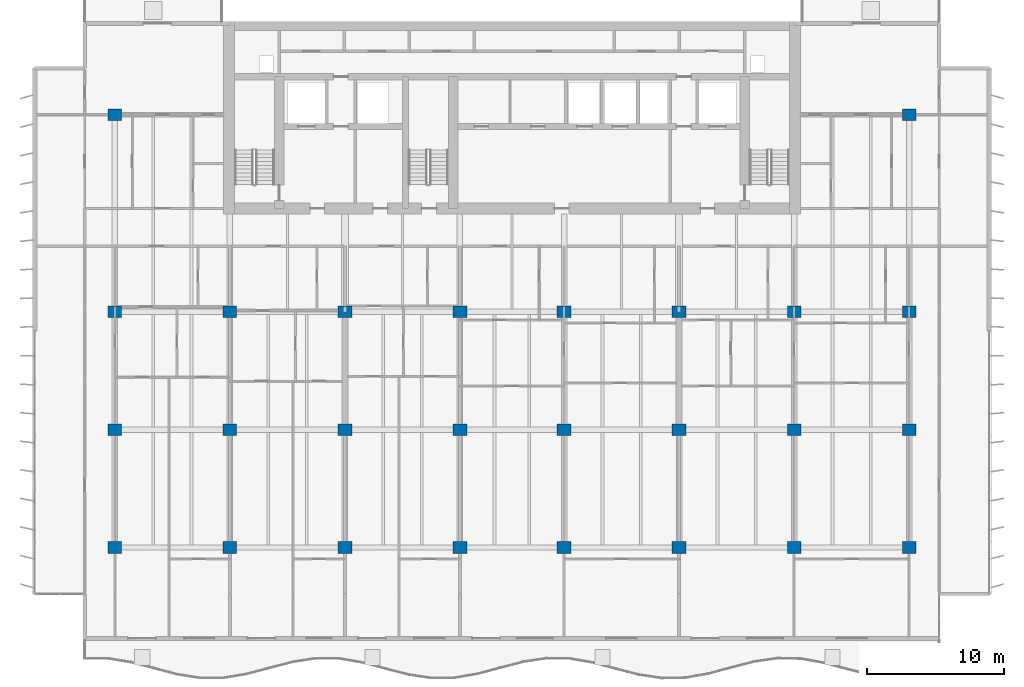
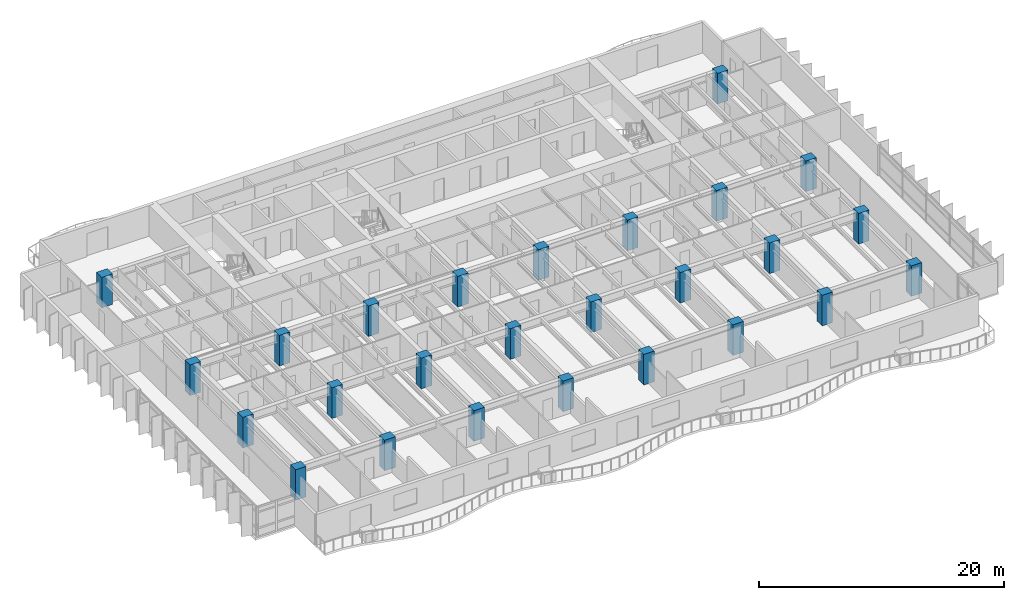
# One storey, part 1 of 16: 26 columns.
"""IFC4 building model written with IfcOpenShell, lengths in metres."""

import ifcopenshell
import ifcopenshell.guid

model = None  # the IFC model being written
_history = None  # IfcOwnerHistory: only IFC2X3 demands one
_inside = {}  # id of a spatial element -> (the spatial element, [elements in it])
_under = {}  # id of a project, library or spatial element -> (it, [spatial elements below it])
_declared = {}  # id of a project -> (the project, [libraries it declares])
_typed = {}  # id of a type object -> (the type object, [elements of that type])
_made_of = {}  # id of a material, layer set ... -> (it, [elements and type objects made of it])


def new_model(schema):
    """Start an empty IFC model of exactly this schema.

    Asked for "IFC4X3", IfcOpenShell would pick the latest addendum, in which some entities
    have other attributes; the version numbers below select the first issue.
    IFC2X3 requires an IfcOwnerHistory on every rooted entity: one is made here for all.
    """
    global model, _history
    if schema == "IFC4X3":
        model = ifcopenshell.file(schema_version=(4, 3, 0, 0))
    else:
        model = ifcopenshell.file(schema=schema)
    _inside.clear()
    _under.clear()
    _declared.clear()
    _typed.clear()
    _made_of.clear()
    _history = None
    if model.schema == "IFC2X3":
        org = make("IfcOrganization", Name="unknown")
        user = make(
            "IfcPersonAndOrganization",
            ThePerson=make("IfcPerson", FamilyName="unknown"),
            TheOrganization=org,
        )
        app = make(
            "IfcApplication",
            ApplicationDeveloper=org,
            Version="unknown",
            ApplicationFullName="unknown",
            ApplicationIdentifier="unknown",
        )
        _history = make(
            "IfcOwnerHistory",
            OwningUser=user,
            OwningApplication=app,
            ChangeAction="ADDED",
            CreationDate=0,
        )
    return model


def make(cls, **values):
    """One entity of the class cls with the attributes given. An attribute that is None is left unset."""
    return model.create_entity(
        cls, **{name: value for name, value in values.items() if value is not None}
    )


def rooted(cls, **values):
    """An entity with a GlobalId (a new one), such as an element, a storey or a relation."""
    return make(cls, GlobalId=ifcopenshell.guid.new(), OwnerHistory=_history, **values)


def si_unit(unit_type, name, prefix=None):
    """IfcSIUnit, for example si_unit("LENGTHUNIT", "METRE", prefix="MILLI")."""
    return make("IfcSIUnit", UnitType=unit_type, Prefix=prefix, Name=name)


def assignment(units):
    """IfcUnitAssignment: the units of a project."""
    return None if units is None else make("IfcUnitAssignment", Units=units)


def point(xyz):
    """IfcCartesianPoint."""
    return None if xyz is None else make("IfcCartesianPoint", Coordinates=xyz)


def direction(xyz):
    """IfcDirection."""
    return None if xyz is None else make("IfcDirection", DirectionRatios=xyz)


def frame(location, z_axis=None, x_axis=None):
    """IfcAxis2Placement3D, a coordinate frame: its origin and axes. An axis left out is left unset."""
    return make(
        "IfcAxis2Placement3D",
        Location=point(location),
        Axis=direction(z_axis),
        RefDirection=direction(x_axis),
    )


def frame_2d(location, x_axis=None):
    """IfcAxis2Placement2D, a coordinate frame in the plane: its origin and x axis."""
    return make(
        "IfcAxis2Placement2D", Location=point(location), RefDirection=direction(x_axis)
    )


def origin():
    """The frame at (0, 0, 0) with its axes left unset."""
    return frame((0.0, 0.0, 0.0))


def origin_2d():
    """The frame at (0, 0) in the plane with its x axis left unset."""
    return frame_2d((0.0, 0.0))


def place(relative_to, where):
    """IfcLocalPlacement: puts the frame where relative to a parent placement (None: the world)."""
    return make(
        "IfcLocalPlacement", PlacementRelTo=relative_to, RelativePlacement=where
    )


def context(
    kind, dimensions, precision=None, world=None, true_north=None, identifier=None
):
    """IfcGeometricRepresentationContext, for example the 3D "Model" context."""
    return make(
        "IfcGeometricRepresentationContext",
        ContextIdentifier=identifier,
        ContextType=kind,
        CoordinateSpaceDimension=dimensions,
        Precision=precision,
        WorldCoordinateSystem=world,
        TrueNorth=true_north,
    )


def subcontext(parent, identifier, kind, view, scale=None):
    """IfcGeometricRepresentationSubContext, for example "Body" below "Model"."""
    return make(
        "IfcGeometricRepresentationSubContext",
        ContextIdentifier=identifier,
        ContextType=kind,
        ParentContext=parent,
        TargetScale=scale,
        TargetView=view,
    )


def project(units=None, contexts=None):
    """IfcProject with its units and contexts."""
    return rooted(
        "IfcProject",
        Name="project",
        RepresentationContexts=contexts,
        UnitsInContext=assignment(units),
    )


def spatial(cls, under=None, at=None, **own):
    """A site, building, storey or space (cls), placed at a placement, below another one or the project."""
    s = rooted(cls, ObjectPlacement=at, **own)
    if under is not None:
        _under.setdefault(under.id(), (under, []))[1].append(s)
    return s


def profile(cls, at=None, kind="AREA", **sizes):
    """A parametric profile (cls). Its sizes go by their IFC names, for example OverallWidth=200.0."""
    return make(cls, ProfileType=kind, Position=at, **sizes)


def rectangle(**sizes):
    """IfcRectangleProfileDef."""
    return profile("IfcRectangleProfileDef", **sizes)


def extrude(swept, where, along, depth):
    """IfcExtrudedAreaSolid: the profile swept, set in the frame where, extruded along a direction by depth."""
    return make(
        "IfcExtrudedAreaSolid",
        SweptArea=swept,
        Position=where,
        ExtrudedDirection=direction(along),
        Depth=depth,
    )


def shape(context_of_items, identifier, shape_type, items):
    """IfcShapeRepresentation: the items that make up one representation, for example the "Body"."""
    return make(
        "IfcShapeRepresentation",
        ContextOfItems=context_of_items,
        RepresentationIdentifier=identifier,
        RepresentationType=shape_type,
        Items=items,
    )


def material(Name=None, Category=None):
    """IfcMaterial."""
    return make("IfcMaterial", Name=Name, Category=Category)


def material_profile(
    of_material, cross_section, Name=None, Category=None, Priority=None
):
    """IfcMaterialProfile: a cross section and its material."""
    return make(
        "IfcMaterialProfile",
        Name=Name,
        Material=of_material,
        Profile=cross_section,
        Priority=Priority,
        Category=Category,
    )


def profile_set(profiles, Name=None, composite=None):
    """IfcMaterialProfileSet."""
    return make(
        "IfcMaterialProfileSet",
        Name=Name,
        MaterialProfiles=profiles,
        CompositeProfile=composite,
    )


def made_of(thing, what):
    """Note that an element or type object is made of a material, layer set ...; save() writes the relation."""
    if what is not None:
        _made_of.setdefault(what.id(), (what, []))[1].append(thing)
    return thing


def type_object(cls, material=None, **own):
    """A type object (cls), such as IfcWallType, which elements share."""
    return made_of(rooted(cls, **own), material)


def element(
    cls,
    number,
    at=None,
    inside=None,
    cuts=None,
    type_object=None,
    material=None,
    context=None,
    identifier="Body",
    shape_type=None,
    held_by="IfcProductDefinitionShape",
    body=None,
    shapes=None,
    **own,
):
    """One element of the class cls, such as IfcWall. Its Tag is "e" and its number.

    at: its placement. inside: the storey or other place that contains it. cuts: it is an
    opening in that element (IfcRelVoidsElement). A single representation is given by context,
    identifier, shape_type and body (its items); several are given by shapes. held_by: the class
    of the entity that holds the representations. save() writes the other relations.
    """
    e = rooted(cls, Tag="e%d" % number, ObjectPlacement=at, **own)
    if body is not None:
        shapes = [shape(context, identifier, shape_type, body)]
    if shapes is not None:
        e.Representation = make(held_by, Representations=shapes)
    if inside is not None:
        _inside.setdefault(inside.id(), (inside, []))[1].append(e)
    if cuts is not None:
        rooted(
            "IfcRelVoidsElement", RelatingBuildingElement=cuts, RelatedOpeningElement=e
        )
    if type_object is not None:
        _typed.setdefault(type_object.id(), (type_object, []))[1].append(e)
    return made_of(e, material)


def aggregate(whole, parts):
    """IfcRelAggregates: a whole, such as a stair, and the parts it consists of."""
    return rooted("IfcRelAggregates", RelatingObject=whole, RelatedObjects=parts)


def save(model, path):
    """Write the relations noted so far, then the file.

    IfcRelAggregates (storeys below a building ...), IfcRelContainedInSpatialStructure (elements
    in a storey), IfcRelDefinesByType, IfcRelAssociatesMaterial and IfcRelDeclares: one each for
    every whole, place, type object, material and project.
    """
    for whole, parts in _under.values():
        aggregate(whole, parts)
    for where, things in _inside.values():
        rooted(
            "IfcRelContainedInSpatialStructure",
            RelatedElements=things,
            RelatingStructure=where,
        )
    for kind, things in _typed.values():
        rooted("IfcRelDefinesByType", RelatedObjects=things, RelatingType=kind)
    for what, things in _made_of.values():
        rooted("IfcRelAssociatesMaterial", RelatedObjects=things, RelatingMaterial=what)
    for by, libraries in _declared.values():
        rooted("IfcRelDeclares", RelatingContext=by, RelatedDefinitions=libraries)
    model.write(path)


model = new_model("IFC4")

# Units and contexts
model_context = context("Model", 3, precision=1e-05, world=origin(), true_north=direction((0.0, 1.0)))
body_context = subcontext(model_context, "Body", "Model", "MODEL_VIEW")
ifc_project = project(units=[si_unit("LENGTHUNIT", "METRE"), si_unit("AREAUNIT", "SQUARE_METRE"), si_unit("VOLUMEUNIT", "CUBIC_METRE"), si_unit("PLANEANGLEUNIT", "RADIAN"), si_unit("MASSUNIT", "GRAM", prefix="KILO")], contexts=[model_context])

# Site, building, storey
site_placement = place(None, origin())
site = spatial("IfcSite", under=ifc_project, at=site_placement, CompositionType="ELEMENT")
building_placement = place(site_placement, origin())
building = spatial("IfcBuilding", under=site, at=building_placement, Name="Caelmar Bay Residences", CompositionType="ELEMENT")
storey_placement = place(building_placement, frame((0.0, 0.0, 145.5)))
storey = spatial("IfcBuildingStorey", under=building, at=storey_placement, Name="L40", CompositionType="ELEMENT", Elevation=145.5)

# Columns
ifc_material = material(Name="Concrete f'c 70 MPa (10,000 psi)", Category="concrete")
ifc_material_profile = material_profile(ifc_material, rectangle(XDim=1.0, YDim=0.85009765625, at=origin_2d()), Name="RC-COL-1000X850")
ifc_profile_set = profile_set([ifc_material_profile], Name="Concrete f'c 70 MPa (10,000 psi)")
column_type = type_object("IfcColumnType", Name="COL-RC-1000X850", PredefinedType="COLUMN", material=ifc_profile_set)
for number, where, z_axis, x_axis, name in (
    (1, (9.89990234375, 12.199951171875, 0.0), (0.0, 0.0, 1.0), (1.0, 0.0, 0.0), "L40 Column (9.90,12.20)"),
    (2, (18.300048828125, 12.199951171875, 0.0), (0.0, 0.0, 1.0), (1.0, 0.0, 0.0), "L40 Column (18.30,12.20)"),
    (3, (26.699951171875, 12.199951171875, 0.0), (0.0, 0.0, 1.0), (1.0, 0.0, 0.0), "L40 Column (26.70,12.20)"),
    (4, (35.10009765625, 12.199951171875, 0.0), (0.0, 0.0, 1.0), (1.0, 0.0, 0.0), "L40 Column (35.10,12.20)"),
    (5, (42.699951171875, 12.199951171875, 0.0), (0.0, 0.0, 1.0), (1.0, 0.0, 0.0), "L40 Column (42.70,12.20)"),
    (6, (51.10009765625, 12.199951171875, 0.0), (0.0, 0.0, 1.0), (1.0, 0.0, 0.0), "L40 Column (51.10,12.20)"),
    (7, (59.5, 12.199951171875, 0.0), (0.0, 0.0, 1.0), (1.0, 0.0, 0.0), "L40 Column (59.50,12.20)"),
    (8, (67.89990234375, 12.199951171875, 0.0), (0.0, 0.0, 1.0), (1.0, 0.0, 0.0), "L40 Column (67.90,12.20)"),
    (9, (9.89990234375, 20.800048828125, 0.0), (0.0, 0.0, 1.0), (1.0, 0.0, 0.0), "L40 Column (9.90,20.80)"),
    (10, (18.300048828125, 20.800048828125, 0.0), (0.0, 0.0, 1.0), (1.0, 0.0, 0.0), "L40 Column (18.30,20.80)"),
    (11, (26.699951171875, 20.800048828125, 0.0), (0.0, 0.0, 1.0), (1.0, 0.0, 0.0), "L40 Column (26.70,20.80)"),
    (12, (35.10009765625, 20.800048828125, 0.0), (0.0, 0.0, 1.0), (1.0, 0.0, 0.0), "L40 Column (35.10,20.80)"),
    (13, (42.699951171875, 20.800048828125, 0.0), (0.0, 0.0, 1.0), (1.0, 0.0, 0.0), "L40 Column (42.70,20.80)"),
    (14, (51.10009765625, 20.800048828125, 0.0), (0.0, 0.0, 1.0), (1.0, 0.0, 0.0), "L40 Column (51.10,20.80)"),
    (15, (59.5, 20.800048828125, 0.0), (0.0, 0.0, 1.0), (1.0, 0.0, 0.0), "L40 Column (59.50,20.80)"),
    (16, (67.89990234375, 20.800048828125, 0.0), (0.0, 0.0, 1.0), (1.0, 0.0, 0.0), "L40 Column (67.90,20.80)"),
    (17, (9.89990234375, 29.39990234375, 0.0), (0.0, 0.0, 1.0), (1.0, 0.0, 0.0), "L40 Column (9.90,29.40)"),
    (18, (18.300048828125, 29.39990234375, 0.0), (0.0, 0.0, 1.0), (1.0, 0.0, 0.0), "L40 Column (18.30,29.40)"),
    (19, (26.699951171875, 29.39990234375, 0.0), (0.0, 0.0, 1.0), (1.0, 0.0, 0.0), "L40 Column (26.70,29.40)"),
    (20, (35.10009765625, 29.39990234375, 0.0), (0.0, 0.0, 1.0), (1.0, 0.0, 0.0), "L40 Column (35.10,29.40)"),
    (21, (42.699951171875, 29.39990234375, 0.0), (0.0, 0.0, 1.0), (1.0, 0.0, 0.0), "L40 Column (42.70,29.40)"),
    (22, (51.10009765625, 29.39990234375, 0.0), (0.0, 0.0, 1.0), (1.0, 0.0, 0.0), "L40 Column (51.10,29.40)"),
    (23, (59.5, 29.39990234375, 0.0), (0.0, 0.0, 1.0), (1.0, 0.0, 0.0), "L40 Column (59.50,29.40)"),
    (24, (67.89990234375, 29.39990234375, 0.0), (0.0, 0.0, 1.0), (1.0, 0.0, 0.0), "L40 Column (67.90,29.40)"),
    (25, (9.89990234375, 43.800048828125, 0.0), (0.0, 0.0, 1.0), (1.0, 0.0, 0.0), "L40 Column (9.90,43.80)"),
    (26, (67.89990234375, 43.800048828125, 0.0), (0.0, 0.0, 1.0), (1.0, 0.0, 0.0), "L40 Column (67.90,43.80)"),
):
    element("IfcColumn", number, at=place(storey_placement, frame(where, z_axis=z_axis, x_axis=x_axis)), inside=storey, type_object=column_type, Name=name, PredefinedType="COLUMN", context=body_context, shape_type="SweptSolid", body=[
        extrude(rectangle(XDim=1.0, YDim=0.85009765625, at=origin_2d()), origin(), (0.0, 0.0, 1.0), 3.050048828125),
    ])

save(model, "model.ifc")
